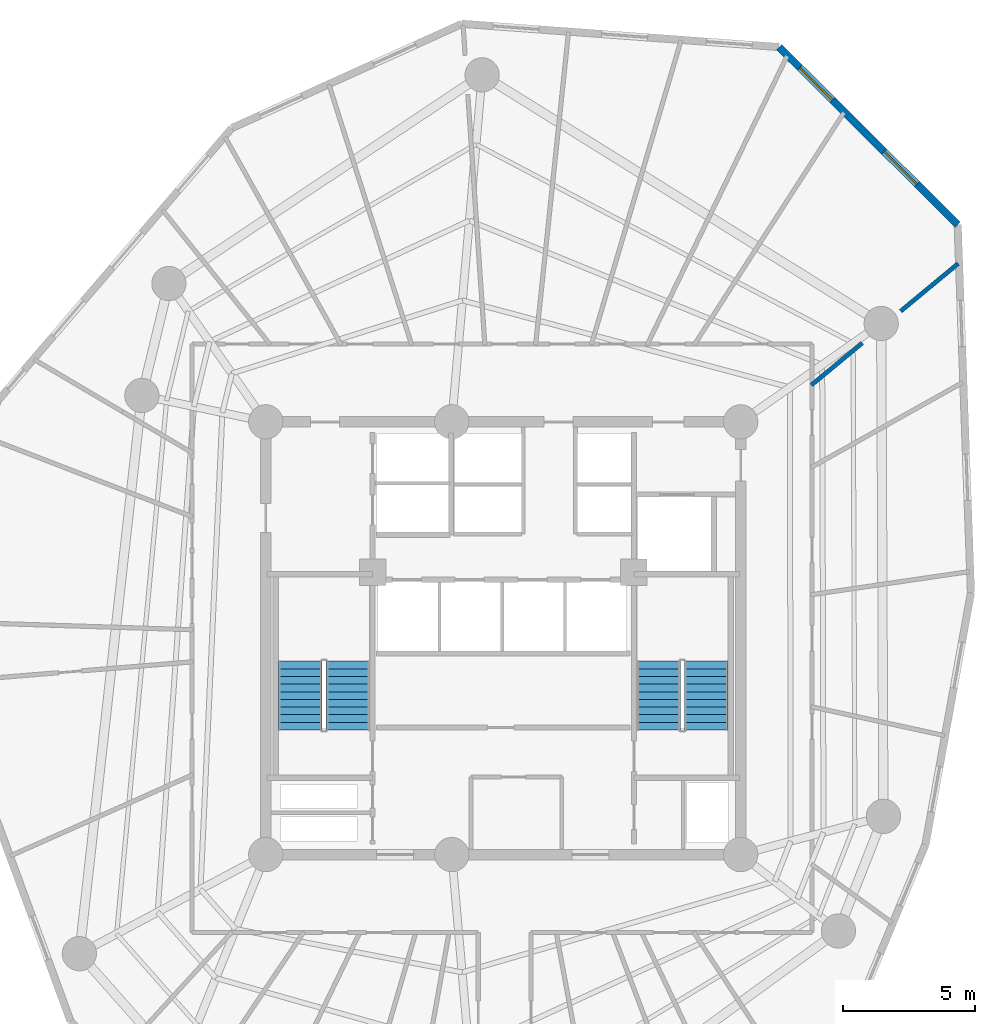
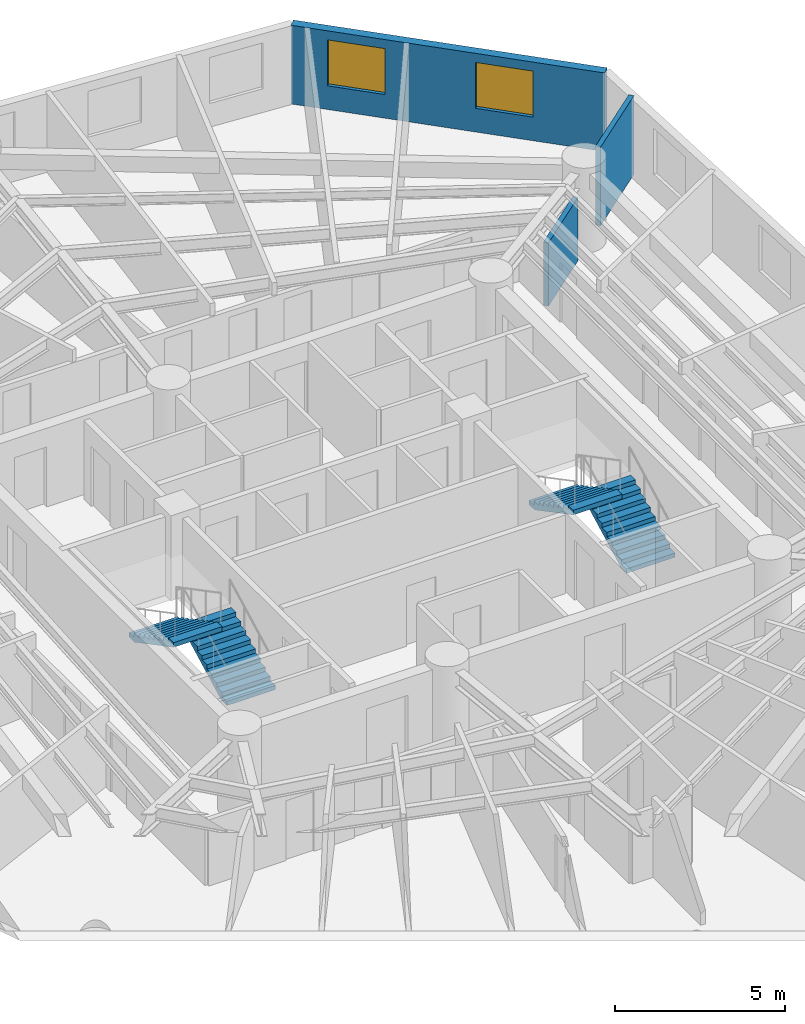
# One storey, part 7 of 8: 4 stair flights, 3 walls, 2 windows, 2 openings, 2 elements without a shape of their own.
"""IFC4 building model written with IfcOpenShell, lengths in metres."""

from ifc_helpers import new_model, si_unit, direction, frame, frame_2d, origin, origin_with_axes, place, context, subcontext, project, spatial, polyline, rectangle, outline, extrude, source, transform, mapped, material, layer, layer_set, type_object, element, fill, aggregate, save


model = new_model("IFC4")

# Units and contexts
model_context = context("Model", 3, precision=1e-05, world=origin(), true_north=direction((0.0, 1.0)))
body_context = subcontext(model_context, "Body", "Model", "MODEL_VIEW")
ifc_project = project(units=[si_unit("LENGTHUNIT", "METRE"), si_unit("AREAUNIT", "SQUARE_METRE"), si_unit("VOLUMEUNIT", "CUBIC_METRE"), si_unit("PLANEANGLEUNIT", "RADIAN"), si_unit("MASSUNIT", "GRAM", prefix="KILO")], contexts=[model_context])

# Site, building, storey
site_placement = place(None, origin())
site = spatial("IfcSite", under=ifc_project, at=site_placement, CompositionType="ELEMENT")
building_placement = place(site_placement, origin())
building = spatial("IfcBuilding", under=site, at=building_placement, Name="Karkom Vertical University and Central Library", CompositionType="ELEMENT")
storey_placement = place(building_placement, frame((0.0, 0.0, 162.64990234375)))
storey = spatial("IfcBuildingStorey", under=building, at=storey_placement, Name="L46", CompositionType="ELEMENT", Elevation=162.64990234375)

# Wall, openings, windows
ifc_material_1 = material(Name="Brick-faced precast concrete C45/55", Category="masonry")
ifc_layer_1 = layer(ifc_material_1, 0.280029296875)
ifc_layer_set_1 = layer_set([ifc_layer_1], Name="Brick-faced precast concrete C45/55")
wall_type_1 = type_object("IfcWallType", Name="ENV-WL-BRK-280", PredefinedType="SOLIDWALL", material=ifc_layer_set_1)
wall_1_placement = place(storey_placement, frame((45.726318359375, 42.1708984375, 0.0), z_axis=(0.0, 0.0, 1.0), x_axis=(-0.708868189889, 0.70534097383, 0.0)))
wall_1 = element("IfcWall", 1, at=wall_1_placement, inside=storey, type_object=wall_type_1, Name="Level 46 Brick-Faced Precast Facade Wall 09", PredefinedType="SOLIDWALL", context=body_context, shape_type="SweptSolid", body=[
    extrude(rectangle(XDim=9.5517578125, YDim=0.280029296875, at=frame_2d((4.77587890625, 0.0))), origin(), (0.0, 0.0, 1.0), 2.8251953125),
])
opening_1_placement = place(wall_1_placement, frame((2.1796875, 0.0, 0.85009765625)))
opening_1 = element("IfcOpeningElement", 2, at=opening_1_placement, cuts=wall_1, Name="Opening WN-08", PredefinedType="OPENING", context=body_context, shape_type="SweptSolid", body=[
    extrude(rectangle(XDim=1.75, YDim=1.64990234375, at=frame_2d((0.875, 0.824951171875))), frame((0.0, 0.14990234375, 0.0), z_axis=(0.0, -1.0, 0.0), x_axis=(1.0, 0.0, 0.0)), (0.0, 0.0, 1.0), 0.300048828125),
])
opening_2_placement = place(wall_1_placement, frame((6.69140625, 0.0, 0.85009765625)))
opening_2 = element("IfcOpeningElement", 3, at=opening_2_placement, cuts=wall_1, Name="Opening WN-08", PredefinedType="OPENING", context=body_context, shape_type="SweptSolid", body=[
    extrude(rectangle(XDim=1.75, YDim=1.64990234375, at=frame_2d((0.875, 0.824951171875))), frame((0.0, 0.14990234375, 0.0), z_axis=(0.0, -1.0, 0.0), x_axis=(1.0, 0.0, 0.0)), (0.0, 0.0, 1.0), 0.300048828125),
])
ifc_material_2 = material(Name="Aluminium thermal-break frame with solar-control IGU", Category="aluminium")
window_type = type_object("IfcWindowType", Name="ENV-WIN-WN-08", PartitioningType="SINGLE_PANEL", PredefinedType="WINDOW", material=ifc_material_2)
shared_shape = source(origin_with_axes(), body_context, "Body", "SweptSolid", [
    extrude(rectangle(XDim=1.75, YDim=1.64990234375, at=frame_2d((0.875, 0.824951171875))), frame((0.0, 0.030029296875, 0.0), z_axis=(0.0, -1.0, 0.0), x_axis=(1.0, 0.0, 0.0)), (0.0, 0.0, 1.0), 0.06005859375),
])
window_1_placement = place(opening_1_placement, origin())
window_1 = element("IfcWindow", 4, at=window_1_placement, inside=storey, type_object=window_type, Name="Level 46 Punched Window 9.1", OverallHeight=1.64990234375, OverallWidth=1.75, PartitioningType="SINGLE_PANEL", PredefinedType="WINDOW", context=body_context, shape_type="MappedRepresentation", body=[
    mapped(shared_shape, transform((0.0, 0.0, 0.0), scale=1.0)),
])
fill(opening_1, window_1)
window_2_placement = place(opening_2_placement, origin())
window_2 = element("IfcWindow", 5, at=window_2_placement, inside=storey, type_object=window_type, Name="Level 46 Punched Window 9.2", OverallHeight=1.64990234375, OverallWidth=1.75, PartitioningType="SINGLE_PANEL", PredefinedType="WINDOW", context=body_context, shape_type="MappedRepresentation", body=[
    mapped(shared_shape, transform((0.0, 0.0, 0.0), scale=1.0)),
])
fill(opening_2, window_2)

# Walls
ifc_material_3 = material(Name="Insulated metal-stud drywall 160mm", Category="gypsum")
ifc_layer_2 = layer(ifc_material_3, 0.159912109375)
ifc_layer_set_2 = layer_set([ifc_layer_2], Name="Insulated metal-stud drywall 160mm")
wall_type_2 = type_object("IfcWallType", Name="INT-WL-COR-160", PredefinedType="PARTITIONING", material=ifc_layer_set_2)
wall_2_placement = place(storey_placement, frame((43.56396484375, 38.89599609375, 0.0), z_axis=(0.0, 0.0, 1.0), x_axis=(0.770214325441, 0.637785146336, 0.0)))
element("IfcWall", 6, at=wall_2_placement, inside=storey, type_object=wall_type_2, Name="Level 46 Interior Partition Wall L46-PW-020", PredefinedType="PARTITIONING", context=body_context, shape_type="SweptSolid", body=[
    extrude(rectangle(XDim=2.826171875, YDim=0.159912109375, at=frame_2d((1.4130859375, 0.0))), origin(), (0.0, 0.0, 1.0), 2.8251953125),
])
wall_3_placement = place(storey_placement, frame((40.177001953125, 36.09130859375, 0.0), z_axis=(0.0, 0.0, 1.0), x_axis=(0.77021590508, 0.637783238696, 0.0)))
element("IfcWall", 7, at=wall_3_placement, inside=storey, type_object=wall_type_2, Name="Level 46 Interior Partition Wall L46-PW-019", PredefinedType="PARTITIONING", context=body_context, shape_type="SweptSolid", body=[
    extrude(rectangle(XDim=2.50341796875, YDim=0.159912109375, at=frame_2d((1.251708984375, 0.0))), origin(), (0.0, 0.0, 1.0), 2.275146484375),
])

# Stair, stair flights
ifc_material_4 = material(Name="Concrete C45/55", Category="concrete")
stair_type = type_object("IfcStairType", Name="INT-STR-ST-MAIN", PredefinedType="HALF_TURN_STAIR", material=ifc_material_4)
stair_1_placement = place(storey_placement, origin())
stair_1 = element("IfcStair", 8, at=stair_1_placement, inside=storey, type_object=stair_type, Name="Level 46 Tower Protected Exit Stair ST-1", PredefinedType="HALF_TURN_STAIR")
stair_flight_type = type_object("IfcStairFlightType", Name="INT-SFL-ST-MAIN", PredefinedType="STRAIGHT", material=ifc_material_4)
stair_flight_1_placement = place(storey_placement, frame((22.614990234375, 23.02001953125, 0.0), z_axis=(0.0, 0.0, 1.0), x_axis=(0.0, 1.0, 0.0)))
stair_flight_1 = element("IfcStairFlight", 9, at=stair_flight_1_placement, type_object=stair_flight_type, Name="ST-1 flight 1", NumberOfRisers=10, NumberOfTreads=9, PredefinedType="STRAIGHT", RiserHeight=0.1525, TreadLength=0.29, context=body_context, shape_type="SweptSolid", body=[
    extrude(outline(polyline([(0.0, 0.0), (0.0, 0.152587890625), (0.2900390625, 0.152587890625), (0.2900390625, 0.304931640625), (0.580078125, 0.304931640625), (0.580078125, 0.45751953125), (0.8701171875, 0.45751953125), (0.8701171875, 0.610107421875), (1.159912109375, 0.610107421875), (1.159912109375, 0.762451171875), (1.449951171875, 0.762451171875), (1.449951171875, 0.9150390625), (1.739990234375, 0.9150390625), (1.739990234375, 1.0673828125), (2.030029296875, 1.0673828125), (2.030029296875, 1.219970703125), (2.320068359375, 1.219970703125), (2.320068359375, 1.37255859375), (2.610107421875, 1.37255859375), (2.610107421875, 1.52490234375), (2.610107421875, 1.203125), (0.322021484375, 0.0), (0.0, 0.0)])), frame((0.0, 0.824951171875, 0.0), z_axis=(0.0, -1.0, 0.0), x_axis=(1.0, 0.0, 0.0)), (0.0, 0.0, 1.0), 1.64990234375),
])
stair_flight_2_placement = place(storey_placement, frame((20.804931640625, 25.6298828125, 1.525146484375), z_axis=(0.0, 0.0, 1.0), x_axis=(0.0, -1.0, 0.0)))
stair_flight_2 = element("IfcStairFlight", 10, at=stair_flight_2_placement, type_object=stair_flight_type, Name="ST-1 flight 2", NumberOfRisers=10, NumberOfTreads=9, PredefinedType="STRAIGHT", RiserHeight=0.1525, TreadLength=0.29, context=body_context, shape_type="SweptSolid", body=[
    extrude(outline(polyline([(0.0, 0.0), (0.0, 0.152587890625), (0.2900390625, 0.152587890625), (0.2900390625, 0.304931640625), (0.580078125, 0.304931640625), (0.580078125, 0.45751953125), (0.8701171875, 0.45751953125), (0.8701171875, 0.610107421875), (1.159912109375, 0.610107421875), (1.159912109375, 0.762451171875), (1.449951171875, 0.762451171875), (1.449951171875, 0.9150390625), (1.739990234375, 0.9150390625), (1.739990234375, 1.0673828125), (2.030029296875, 1.0673828125), (2.030029296875, 1.219970703125), (2.320068359375, 1.219970703125), (2.320068359375, 1.37255859375), (2.610107421875, 1.37255859375), (2.610107421875, 1.52490234375), (2.610107421875, 1.203125), (0.322021484375, 0.0), (0.0, 0.0)])), frame((0.0, 0.824951171875, 0.0), z_axis=(0.0, -1.0, 0.0), x_axis=(1.0, 0.0, 0.0)), (0.0, 0.0, 1.0), 1.64990234375),
])
aggregate(stair_1, [stair_flight_1, stair_flight_2])

stair_2_placement = place(storey_placement, origin())
stair_2 = element("IfcStair", 11, at=stair_2_placement, inside=storey, type_object=stair_type, Name="Level 46 Tower Protected Exit Stair ST-2", PredefinedType="HALF_TURN_STAIR")
stair_flight_3_placement = place(storey_placement, frame((36.195068359375, 23.02001953125, 0.0), z_axis=(0.0, 0.0, 1.0), x_axis=(0.0, 1.0, 0.0)))
stair_flight_3 = element("IfcStairFlight", 12, at=stair_flight_3_placement, type_object=stair_flight_type, Name="ST-2 flight 1", NumberOfRisers=10, NumberOfTreads=9, PredefinedType="STRAIGHT", RiserHeight=0.1525, TreadLength=0.29, context=body_context, shape_type="SweptSolid", body=[
    extrude(outline(polyline([(0.0, 0.0), (0.0, 0.152587890625), (0.2900390625, 0.152587890625), (0.2900390625, 0.304931640625), (0.580078125, 0.304931640625), (0.580078125, 0.45751953125), (0.8701171875, 0.45751953125), (0.8701171875, 0.610107421875), (1.159912109375, 0.610107421875), (1.159912109375, 0.762451171875), (1.449951171875, 0.762451171875), (1.449951171875, 0.9150390625), (1.739990234375, 0.9150390625), (1.739990234375, 1.0673828125), (2.030029296875, 1.0673828125), (2.030029296875, 1.219970703125), (2.320068359375, 1.219970703125), (2.320068359375, 1.37255859375), (2.610107421875, 1.37255859375), (2.610107421875, 1.52490234375), (2.610107421875, 1.203125), (0.322021484375, 0.0), (0.0, 0.0)])), frame((0.0, 0.824951171875, 0.0), z_axis=(0.0, -1.0, 0.0), x_axis=(1.0, 0.0, 0.0)), (0.0, 0.0, 1.0), 1.64990234375),
])
stair_flight_4_placement = place(storey_placement, frame((34.385009765625, 25.6298828125, 1.525146484375), z_axis=(0.0, 0.0, 1.0), x_axis=(0.0, -1.0, 0.0)))
stair_flight_4 = element("IfcStairFlight", 13, at=stair_flight_4_placement, type_object=stair_flight_type, Name="ST-2 flight 2", NumberOfRisers=10, NumberOfTreads=9, PredefinedType="STRAIGHT", RiserHeight=0.1525, TreadLength=0.29, context=body_context, shape_type="SweptSolid", body=[
    extrude(outline(polyline([(0.0, 0.0), (0.0, 0.152587890625), (0.2900390625, 0.152587890625), (0.2900390625, 0.304931640625), (0.580078125, 0.304931640625), (0.580078125, 0.45751953125), (0.8701171875, 0.45751953125), (0.8701171875, 0.610107421875), (1.159912109375, 0.610107421875), (1.159912109375, 0.762451171875), (1.449951171875, 0.762451171875), (1.449951171875, 0.9150390625), (1.739990234375, 0.9150390625), (1.739990234375, 1.0673828125), (2.030029296875, 1.0673828125), (2.030029296875, 1.219970703125), (2.320068359375, 1.219970703125), (2.320068359375, 1.37255859375), (2.610107421875, 1.37255859375), (2.610107421875, 1.52490234375), (2.610107421875, 1.203125), (0.322021484375, 0.0), (0.0, 0.0)])), frame((0.0, 0.824951171875, 0.0), z_axis=(0.0, -1.0, 0.0), x_axis=(1.0, 0.0, 0.0)), (0.0, 0.0, 1.0), 1.64990234375),
])
aggregate(stair_2, [stair_flight_3, stair_flight_4])

save(model, "model.ifc")
